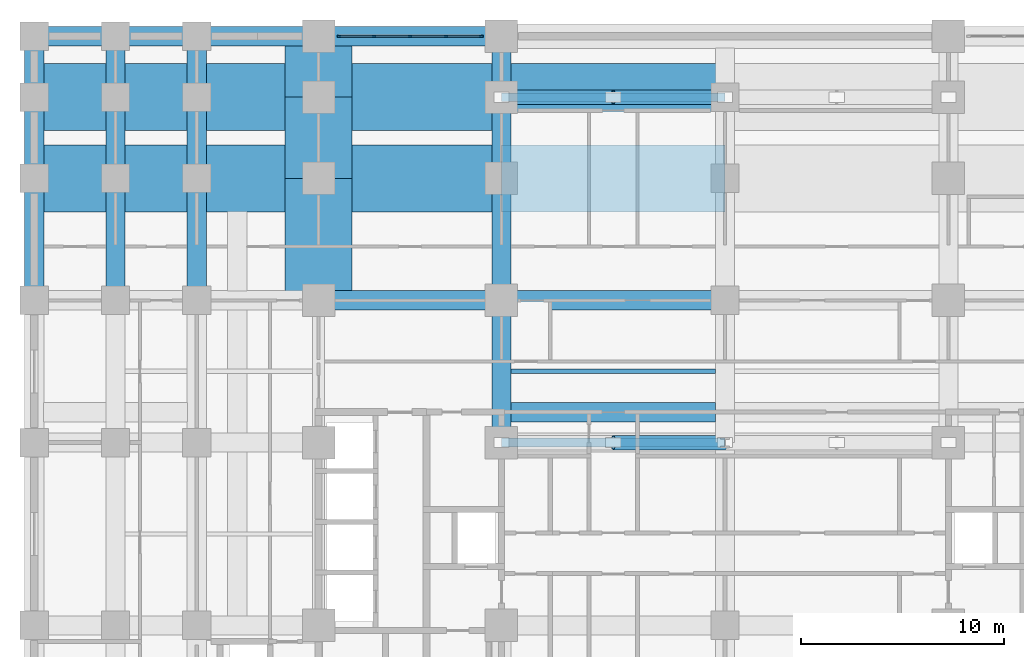
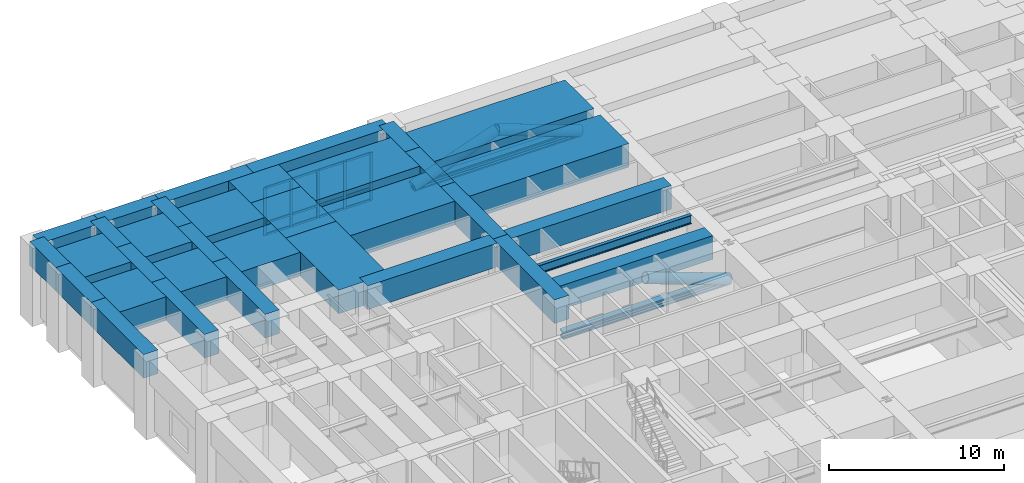
# One storey, part 3 of 22: 34 beams, 22 members, 1 element without a shape of its own.
"""IFC4 building model written with IfcOpenShell, lengths in metres."""

from ifc_helpers import new_model, si_unit, direction, frame, origin, origin_2d, place, context, subcontext, project, spatial, rectangle, hollow_circle, i_section, extrude, material, material_profile, profile_set, type_object, element, aggregate, save


model = new_model("IFC4")

# Units and contexts
model_context = context("Model", 3, precision=1e-05, world=origin(), true_north=direction((0.0, 1.0)))
body_context = subcontext(model_context, "Body", "Model", "MODEL_VIEW")
ifc_project = project(units=[si_unit("LENGTHUNIT", "METRE"), si_unit("AREAUNIT", "SQUARE_METRE"), si_unit("VOLUMEUNIT", "CUBIC_METRE"), si_unit("PLANEANGLEUNIT", "RADIAN"), si_unit("MASSUNIT", "GRAM", prefix="KILO")], contexts=[model_context])

# Site, building, storey
site_placement = place(None, origin())
site = spatial("IfcSite", under=ifc_project, at=site_placement, CompositionType="ELEMENT")
building_placement = place(site_placement, origin())
building = spatial("IfcBuilding", under=site, at=building_placement, Name="Zulmaris Gate Convention Tower", CompositionType="ELEMENT")
storey_placement = place(building_placement, frame((0.0, 0.0, 21.760009765625)))
storey = spatial("IfcBuildingStorey", under=building, at=storey_placement, Name="L04", CompositionType="ELEMENT", Elevation=21.760009765625)

# Beams
ifc_material_1 = material(Name="Concrete C80/95", Category="concrete")
ifc_material_profile_1 = material_profile(ifc_material_1, rectangle(XDim=0.949951171875, YDim=1.64990234375, at=origin_2d()), Name="RC TRANSFER 950x1650")
ifc_profile_set_1 = profile_set([ifc_material_profile_1], Name="Concrete C80/95")
beam_type_1 = type_object("IfcBeamType", Name="BM-XFER1650", PredefinedType="BEAM", material=ifc_profile_set_1)
for number, where, z_axis, x_axis, name in (
    (1, (-34.0, 29.0, 4.1650390625), (1.0, 0.0, 0.0), (0.0, 1.0, 0.0), "L04 Beam XFRNGX-L04-+29.0-1"),
    (2, (-30.0, 29.0, 4.1650390625), (1.0, 0.0, 0.0), (0.0, 1.0, 0.0), "L04 Beam XFRNGX-L04-+29.0-2"),
):
    element("IfcBeam", number, at=place(storey_placement, frame(where, z_axis=z_axis, x_axis=x_axis)), inside=storey, type_object=beam_type_1, Name=name, PredefinedType="BEAM", context=body_context, shape_type="SweptSolid", body=[
        extrude(rectangle(XDim=0.949951171875, YDim=1.64990234375, at=origin_2d()), origin(), (0.0, 0.0, 1.0), 4.0),
    ])
beam_1_placement = place(storey_placement, frame((-26.0, 29.0, 4.1650390625), z_axis=(1.0, 0.0, 0.0), x_axis=(0.0, 1.0, 0.0)))
element("IfcBeam", 3, at=beam_1_placement, inside=storey, type_object=beam_type_1, Name="L04 Beam XFRNGX-L04-+29.0-3", PredefinedType="BEAM", context=body_context, shape_type="SweptSolid", body=[
    extrude(rectangle(XDim=0.949951171875, YDim=1.64990234375, at=origin_2d()), origin(), (0.0, 0.0, 1.0), 6.0),
])
beam_2_placement = place(storey_placement, frame((-20.0, 29.0, 4.1650390625), z_axis=(1.0, 0.0, 0.0), x_axis=(0.0, 1.0, 0.0)))
element("IfcBeam", 4, at=beam_2_placement, inside=storey, type_object=beam_type_1, Name="L04 Beam XFRNGX-L04-+29.0-4", PredefinedType="BEAM", context=body_context, shape_type="SweptSolid", body=[
    extrude(rectangle(XDim=0.949951171875, YDim=1.64990234375, at=origin_2d()), origin(), (0.0, 0.0, 1.0), 9.0),
])
beam_3_placement = place(storey_placement, frame((-34.0, 16.0, 4.1650390625), z_axis=(0.0, 1.0, 0.0), x_axis=(-1.0, 0.0, 0.0)))
element("IfcBeam", 5, at=beam_3_placement, inside=storey, type_object=beam_type_1, Name="L04 Beam XFRNGY-L04--34.0-8", PredefinedType="BEAM", context=body_context, shape_type="SweptSolid", body=[
    extrude(rectangle(XDim=0.949951171875, YDim=1.64990234375, at=origin_2d()), origin(), (0.0, 0.0, 1.0), 6.0),
])
beam_4_placement = place(storey_placement, frame((-34.0, 22.0, 4.1650390625), z_axis=(0.0, 1.0, 0.0), x_axis=(-1.0, 0.0, 0.0)))
element("IfcBeam", 6, at=beam_4_placement, inside=storey, type_object=beam_type_1, Name="L04 Beam XFRNGY-L04--34.0-9", PredefinedType="BEAM", context=body_context, shape_type="SweptSolid", body=[
    extrude(rectangle(XDim=0.949951171875, YDim=1.64990234375, at=origin_2d()), origin(), (0.0, 0.0, 1.0), 4.0),
])
beam_5_placement = place(storey_placement, frame((-34.0, 26.0, 4.1650390625), z_axis=(0.0, 1.0, 0.0), x_axis=(-1.0, 0.0, 0.0)))
element("IfcBeam", 7, at=beam_5_placement, inside=storey, type_object=beam_type_1, Name="L04 Beam XFRNGY-L04--34.0-10", PredefinedType="BEAM", context=body_context, shape_type="SweptSolid", body=[
    extrude(rectangle(XDim=0.949951171875, YDim=1.64990234375, at=origin_2d()), origin(), (0.0, 0.0, 1.0), 3.0),
])
beam_6_placement = place(storey_placement, frame((-30.0, 16.0, 4.1650390625), z_axis=(0.0, 1.0, 0.0), x_axis=(-1.0, 0.0, 0.0)))
element("IfcBeam", 8, at=beam_6_placement, inside=storey, type_object=beam_type_1, Name="L04 Beam XFSPY-L04--30.0-6", PredefinedType="BEAM", context=body_context, shape_type="SweptSolid", body=[
    extrude(rectangle(XDim=0.949951171875, YDim=1.64990234375, at=origin_2d()), origin(), (0.0, 0.0, 1.0), 6.0),
])
beam_7_placement = place(storey_placement, frame((-30.0, 22.0, 4.1650390625), z_axis=(0.0, 1.0, 0.0), x_axis=(-1.0, 0.0, 0.0)))
element("IfcBeam", 9, at=beam_7_placement, inside=storey, type_object=beam_type_1, Name="L04 Beam XFSPY-L04--30.0-7", PredefinedType="BEAM", context=body_context, shape_type="SweptSolid", body=[
    extrude(rectangle(XDim=0.949951171875, YDim=1.64990234375, at=origin_2d()), origin(), (0.0, 0.0, 1.0), 4.0),
])
beam_8_placement = place(storey_placement, frame((-30.0, 26.0, 4.1650390625), z_axis=(0.0, 1.0, 0.0), x_axis=(-1.0, 0.0, 0.0)))
element("IfcBeam", 10, at=beam_8_placement, inside=storey, type_object=beam_type_1, Name="L04 Beam XFSPY-L04--30.0-8", PredefinedType="BEAM", context=body_context, shape_type="SweptSolid", body=[
    extrude(rectangle(XDim=0.949951171875, YDim=1.64990234375, at=origin_2d()), origin(), (0.0, 0.0, 1.0), 3.0),
])
beam_9_placement = place(storey_placement, frame((-26.0, 16.0, 4.1650390625), z_axis=(0.0, 1.0, 0.0), x_axis=(-1.0, 0.0, 0.0)))
element("IfcBeam", 11, at=beam_9_placement, inside=storey, type_object=beam_type_1, Name="L04 Beam XFSPY-L04--26.0-8", PredefinedType="BEAM", context=body_context, shape_type="SweptSolid", body=[
    extrude(rectangle(XDim=0.949951171875, YDim=1.64990234375, at=origin_2d()), origin(), (0.0, 0.0, 1.0), 6.0),
])
beam_10_placement = place(storey_placement, frame((-26.0, 22.0, 4.1650390625), z_axis=(0.0, 1.0, 0.0), x_axis=(-1.0, 0.0, 0.0)))
element("IfcBeam", 12, at=beam_10_placement, inside=storey, type_object=beam_type_1, Name="L04 Beam XFSPY-L04--26.0-9", PredefinedType="BEAM", context=body_context, shape_type="SweptSolid", body=[
    extrude(rectangle(XDim=0.949951171875, YDim=1.64990234375, at=origin_2d()), origin(), (0.0, 0.0, 1.0), 4.0),
])
beam_11_placement = place(storey_placement, frame((-26.0, 26.0, 4.1650390625), z_axis=(0.0, 1.0, 0.0), x_axis=(-1.0, 0.0, 0.0)))
element("IfcBeam", 13, at=beam_11_placement, inside=storey, type_object=beam_type_1, Name="L04 Beam XFSPY-L04--26.0-10", PredefinedType="BEAM", context=body_context, shape_type="SweptSolid", body=[
    extrude(rectangle(XDim=0.949951171875, YDim=1.64990234375, at=origin_2d()), origin(), (0.0, 0.0, 1.0), 3.0),
])
beam_12_placement = place(storey_placement, frame((-11.0, 9.0, 4.1650390625), z_axis=(0.0, 1.0, 0.0), x_axis=(-1.0, 0.0, 0.0)))
element("IfcBeam", 14, at=beam_12_placement, inside=storey, type_object=beam_type_1, Name="L04 Beam XFSPY-L04--11.0-7", PredefinedType="BEAM", context=body_context, shape_type="SweptSolid", body=[
    extrude(rectangle(XDim=0.949951171875, YDim=1.64990234375, at=origin_2d()), origin(), (0.0, 0.0, 1.0), 7.0),
])
beam_13_placement = place(storey_placement, frame((-11.0, 16.0, 4.1650390625), z_axis=(0.0, 1.0, 0.0), x_axis=(-1.0, 0.0, 0.0)))
element("IfcBeam", 15, at=beam_13_placement, inside=storey, type_object=beam_type_1, Name="L04 Beam XFSPY-L04--11.0-8", PredefinedType="BEAM", context=body_context, shape_type="SweptSolid", body=[
    extrude(rectangle(XDim=0.949951171875, YDim=1.64990234375, at=origin_2d()), origin(), (0.0, 0.0, 1.0), 6.0),
])
beam_14_placement = place(storey_placement, frame((-11.0, 22.0, 4.1650390625), z_axis=(0.0, 1.0, 0.0), x_axis=(-1.0, 0.0, 0.0)))
element("IfcBeam", 16, at=beam_14_placement, inside=storey, type_object=beam_type_1, Name="L04 Beam XFSPY-L04--11.0-9", PredefinedType="BEAM", context=body_context, shape_type="SweptSolid", body=[
    extrude(rectangle(XDim=0.949951171875, YDim=1.64990234375, at=origin_2d()), origin(), (0.0, 0.0, 1.0), 4.0),
])
beam_15_placement = place(storey_placement, frame((-11.0, 26.0, 4.1650390625), z_axis=(0.0, 1.0, 0.0), x_axis=(-1.0, 0.0, 0.0)))
element("IfcBeam", 17, at=beam_15_placement, inside=storey, type_object=beam_type_1, Name="L04 Beam XFSPY-L04--11.0-10", PredefinedType="BEAM", context=body_context, shape_type="SweptSolid", body=[
    extrude(rectangle(XDim=0.949951171875, YDim=1.64990234375, at=origin_2d()), origin(), (0.0, 0.0, 1.0), 3.0),
])
beam_16_placement = place(storey_placement, frame((-20.0, 16.0, 4.1650390625), z_axis=(1.0, 0.0, 0.0), x_axis=(0.0, 1.0, 0.0)))
element("IfcBeam", 18, at=beam_16_placement, inside=storey, type_object=beam_type_1, Name="L04 Beam XFSPX-L04-+16.0-4", PredefinedType="BEAM", context=body_context, shape_type="SweptSolid", body=[
    extrude(rectangle(XDim=0.949951171875, YDim=1.64990234375, at=origin_2d()), origin(), (0.0, 0.0, 1.0), 9.0),
])
beam_17_placement = place(storey_placement, frame((-11.0, 16.0, 4.1650390625), z_axis=(1.0, 0.0, 0.0), x_axis=(0.0, 1.0, 0.0)))
element("IfcBeam", 19, at=beam_17_placement, inside=storey, type_object=beam_type_1, Name="L04 Beam XFSPX-L04-+16.0-5", PredefinedType="BEAM", context=body_context, shape_type="SweptSolid", body=[
    extrude(rectangle(XDim=0.949951171875, YDim=1.64990234375, at=origin_2d()), origin(), (0.0, 0.0, 1.0), 11.0),
])
beam_18_placement = place(storey_placement, frame((-10.537109375, 10.5, 4.1650390625), z_axis=(1.0, 0.0, 0.0), x_axis=(0.0, 1.0, 0.0)))
element("IfcBeam", 20, at=beam_18_placement, inside=storey, type_object=beam_type_1, Name="L04 Beam XFERX-L04-+10.50-4", PredefinedType="BEAM", context=body_context, shape_type="SweptSolid", body=[
    extrude(rectangle(XDim=0.949951171875, YDim=1.64990234375, at=origin_2d()), origin(), (0.0, 0.0, 1.0), 10.07421875),
])
ifc_material_profile_2 = material_profile(ifc_material_1, rectangle(XDim=3.300048828125, YDim=1.64990234375, at=origin_2d()), Name="RC TRANSFER 3300x1650")
ifc_profile_set_2 = profile_set([ifc_material_profile_2], Name="Concrete C80/95")
beam_type_2 = type_object("IfcBeamType", Name="BM-XFERCAP", PredefinedType="BEAM", material=ifc_profile_set_2)
beam_19_placement = place(storey_placement, frame((-20.0, 16.0, 4.1650390625), z_axis=(0.0, 1.0, 0.0), x_axis=(-1.0, 0.0, 0.0)))
element("IfcBeam", 21, at=beam_19_placement, inside=storey, type_object=beam_type_2, Name="L04 Beam XFSPY-L04--20.0-8", PredefinedType="BEAM", context=body_context, shape_type="SweptSolid", body=[
    extrude(rectangle(XDim=3.300048828125, YDim=1.64990234375, at=origin_2d()), origin(), (0.0, 0.0, 1.0), 6.0),
])
beam_20_placement = place(storey_placement, frame((-20.0, 22.0, 4.1650390625), z_axis=(0.0, 1.0, 0.0), x_axis=(-1.0, 0.0, 0.0)))
element("IfcBeam", 22, at=beam_20_placement, inside=storey, type_object=beam_type_2, Name="L04 Beam XFSPY-L04--20.0-9", PredefinedType="BEAM", context=body_context, shape_type="SweptSolid", body=[
    extrude(rectangle(XDim=3.300048828125, YDim=1.64990234375, at=origin_2d()), origin(), (0.0, 0.0, 1.0), 4.0),
])
beam_21_placement = place(storey_placement, frame((-20.0, 26.0, 4.1650390625), z_axis=(0.0, 1.0, 0.0), x_axis=(-1.0, 0.0, 0.0)))
element("IfcBeam", 23, at=beam_21_placement, inside=storey, type_object=beam_type_2, Name="L04 Beam XFSPY-L04--20.0-10", PredefinedType="BEAM", context=body_context, shape_type="SweptSolid", body=[
    extrude(rectangle(XDim=3.300048828125, YDim=1.64990234375, at=origin_2d()), origin(), (0.0, 0.0, 1.0), 3.0),
])
for number, where, z_axis, x_axis, name in (
    (24, (-34.0, 22.0, 4.1650390625), (1.0, 0.0, 0.0), (0.0, 1.0, 0.0), "L04 Beam XFSPX-L04-+22.0-1"),
    (25, (-30.0, 22.0, 4.1650390625), (1.0, 0.0, 0.0), (0.0, 1.0, 0.0), "L04 Beam XFSPX-L04-+22.0-2"),
):
    element("IfcBeam", number, at=place(storey_placement, frame(where, z_axis=z_axis, x_axis=x_axis)), inside=storey, type_object=beam_type_2, Name=name, PredefinedType="BEAM", context=body_context, shape_type="SweptSolid", body=[
        extrude(rectangle(XDim=3.300048828125, YDim=1.64990234375, at=origin_2d()), origin(), (0.0, 0.0, 1.0), 4.0),
    ])
beam_22_placement = place(storey_placement, frame((-26.0, 22.0, 4.1650390625), z_axis=(1.0, 0.0, 0.0), x_axis=(0.0, 1.0, 0.0)))
element("IfcBeam", 26, at=beam_22_placement, inside=storey, type_object=beam_type_2, Name="L04 Beam XFSPX-L04-+22.0-3", PredefinedType="BEAM", context=body_context, shape_type="SweptSolid", body=[
    extrude(rectangle(XDim=3.300048828125, YDim=1.64990234375, at=origin_2d()), origin(), (0.0, 0.0, 1.0), 6.0),
])
beam_23_placement = place(storey_placement, frame((-20.0, 22.0, 4.1650390625), z_axis=(1.0, 0.0, 0.0), x_axis=(0.0, 1.0, 0.0)))
element("IfcBeam", 27, at=beam_23_placement, inside=storey, type_object=beam_type_2, Name="L04 Beam XFSPX-L04-+22.0-4", PredefinedType="BEAM", context=body_context, shape_type="SweptSolid", body=[
    extrude(rectangle(XDim=3.300048828125, YDim=1.64990234375, at=origin_2d()), origin(), (0.0, 0.0, 1.0), 9.0),
])
beam_24_placement = place(storey_placement, frame((-11.0, 22.0, 4.1650390625), z_axis=(1.0, 0.0, 0.0), x_axis=(0.0, 1.0, 0.0)))
element("IfcBeam", 28, at=beam_24_placement, inside=storey, type_object=beam_type_2, Name="L04 Beam XFSPX-L04-+22.0-5", PredefinedType="BEAM", context=body_context, shape_type="SweptSolid", body=[
    extrude(rectangle(XDim=3.300048828125, YDim=1.64990234375, at=origin_2d()), origin(), (0.0, 0.0, 1.0), 11.0),
])
for number, where, z_axis, x_axis, name in (
    (29, (-34.0, 26.0, 4.1650390625), (1.0, 0.0, 0.0), (0.0, 1.0, 0.0), "L04 Beam XFSPX-L04-+26.0-1"),
    (30, (-30.0, 26.0, 4.1650390625), (1.0, 0.0, 0.0), (0.0, 1.0, 0.0), "L04 Beam XFSPX-L04-+26.0-2"),
):
    element("IfcBeam", number, at=place(storey_placement, frame(where, z_axis=z_axis, x_axis=x_axis)), inside=storey, type_object=beam_type_2, Name=name, PredefinedType="BEAM", context=body_context, shape_type="SweptSolid", body=[
        extrude(rectangle(XDim=3.300048828125, YDim=1.64990234375, at=origin_2d()), origin(), (0.0, 0.0, 1.0), 4.0),
    ])
beam_25_placement = place(storey_placement, frame((-26.0, 26.0, 4.1650390625), z_axis=(1.0, 0.0, 0.0), x_axis=(0.0, 1.0, 0.0)))
element("IfcBeam", 31, at=beam_25_placement, inside=storey, type_object=beam_type_2, Name="L04 Beam XFSPX-L04-+26.0-3", PredefinedType="BEAM", context=body_context, shape_type="SweptSolid", body=[
    extrude(rectangle(XDim=3.300048828125, YDim=1.64990234375, at=origin_2d()), origin(), (0.0, 0.0, 1.0), 6.0),
])
beam_26_placement = place(storey_placement, frame((-20.0, 26.0, 4.1650390625), z_axis=(1.0, 0.0, 0.0), x_axis=(0.0, 1.0, 0.0)))
element("IfcBeam", 32, at=beam_26_placement, inside=storey, type_object=beam_type_2, Name="L04 Beam XFSPX-L04-+26.0-4", PredefinedType="BEAM", context=body_context, shape_type="SweptSolid", body=[
    extrude(rectangle(XDim=3.300048828125, YDim=1.64990234375, at=origin_2d()), origin(), (0.0, 0.0, 1.0), 9.0),
])
beam_27_placement = place(storey_placement, frame((-11.0, 26.0, 4.1650390625), z_axis=(1.0, 0.0, 0.0), x_axis=(0.0, 1.0, 0.0)))
element("IfcBeam", 33, at=beam_27_placement, inside=storey, type_object=beam_type_2, Name="L04 Beam XFSPX-L04-+26.0-5", PredefinedType="BEAM", context=body_context, shape_type="SweptSolid", body=[
    extrude(rectangle(XDim=3.300048828125, YDim=1.64990234375, at=origin_2d()), origin(), (0.0, 0.0, 1.0), 11.0),
])

# Members
ifc_material_2 = material(Name="Steel S460", Category="steel")
ifc_material_profile_3 = material_profile(ifc_material_2, hollow_circle(Radius=0.35546875, WallThickness=0.035888671875, at=origin_2d()), Name="CHS 711x36")
ifc_profile_set_3 = profile_set([ifc_material_profile_3], Name="Steel S460")
member_type_1 = type_object("IfcMemberType", Name="BR-CHS711", PredefinedType="BRACE", material=ifc_profile_set_3)
for number, where, z_axis, x_axis, name in (
    (34, (-5.5, 9.0, 4.43994140625), (0.940341848935, 0.0, -0.340231108428), (0.0, 1.0, 0.0), "L04 Pishtaq Transfer Truss Diagonal +9-D2"),
    (35, (-11.0, 26.0, 2.449951171875), (0.940341848935, 0.0, 0.340231108428), (0.0, 1.0, 0.0), "L04 Pishtaq Transfer Truss Diagonal +26-D1"),
    (36, (-5.5, 26.0, 4.43994140625), (0.940341848935, 0.0, -0.340231108428), (0.0, 1.0, 0.0), "L04 Pishtaq Transfer Truss Diagonal +26-D2"),
):
    element("IfcMember", number, at=place(storey_placement, frame(where, z_axis=z_axis, x_axis=x_axis)), inside=storey, type_object=member_type_1, Name=name, PredefinedType="BRACE", context=body_context, shape_type="SweptSolid", body=[
        extrude(hollow_circle(Radius=0.35546875, WallThickness=0.035888671875, at=origin_2d()), origin(), (0.0, 0.0, 1.0), 5.848876953125),
    ])
ifc_material_profile_4 = material_profile(ifc_material_2, i_section(OverallWidth=0.43701171875, OverallDepth=0.513916015625, WebThickness=0.060546875, FlangeThickness=0.096923828125, FilletRadius=0.014892578125, at=origin_2d()), Name="HD 400x818")
ifc_profile_set_4 = profile_set([ifc_material_profile_4], Name="Steel S460")
member_type_2 = type_object("IfcMemberType", Name="CH-HD818", PredefinedType="CHORD", material=ifc_profile_set_4)
for number, where, z_axis, x_axis, name in (
    (37, (-11.0, 9.0, 2.449951171875), (1.0, 0.0, 0.0), (0.0, 1.0, 0.0), "L04 Pishtaq Transfer Truss Bottom Chord +9-1"),
    (38, (-11.0, 26.0, 2.449951171875), (1.0, 0.0, 0.0), (0.0, 1.0, 0.0), "L04 Pishtaq Transfer Truss Bottom Chord +26-1"),
):
    element("IfcMember", number, at=place(storey_placement, frame(where, z_axis=z_axis, x_axis=x_axis)), inside=storey, type_object=member_type_2, Name=name, PredefinedType="CHORD", context=body_context, shape_type="SweptSolid", body=[
        extrude(i_section(OverallWidth=0.43701171875, OverallDepth=0.513916015625, WebThickness=0.060546875, FlangeThickness=0.096923828125, FilletRadius=0.014892578125, at=origin_2d()), origin(), (0.0, 0.0, 1.0), 11.0),
    ])

# Curtain wall, members
ifc_material_3 = material(Name="Anodised Aluminium", Category="aluminium")
curtain_wall_type = type_object("IfcCurtainWallType", Name="CW-03", PredefinedType="NOTDEFINED", material=ifc_material_3)
curtain_wall_placement = place(storey_placement, origin())
curtain_wall = element("IfcCurtainWall", 39, at=curtain_wall_placement, inside=storey, type_object=curtain_wall_type, Name="CW-03 CW03-L04-N-20_0", PredefinedType="NOTDEFINED")
ifc_material_profile_5 = material_profile(ifc_material_3, rectangle(XDim=0.074951171875, YDim=0.179931640625, at=origin_2d()), Name="ALU MULLION 75x180")
ifc_profile_set_5 = profile_set([ifc_material_profile_5], Name="Anodised Aluminium")
member_type_3 = type_object("IfcMemberType", Name="CW-03-MULL", PredefinedType="MULLION", material=ifc_profile_set_5)
member_1_placement = place(storey_placement, frame((-11.99755859375, 29.0, 0.0), z_axis=(0.0, 0.0, 1.0), x_axis=(0.0, -1.0, 0.0)))
member_1 = element("IfcMember", 40, at=member_1_placement, type_object=member_type_3, Name="CW-03 mullion 1", PredefinedType="MULLION", context=body_context, shape_type="SweptSolid", body=[
    extrude(rectangle(XDim=0.074951171875, YDim=0.179931640625, at=origin_2d()), origin(), (0.0, 0.0, 1.0), 3.33203125),
])
member_2_placement = place(storey_placement, frame((-13.72998046875, 29.0, 0.0), z_axis=(0.0, 0.0, 1.0), x_axis=(0.0, -1.0, 0.0)))
member_2 = element("IfcMember", 41, at=member_2_placement, type_object=member_type_3, Name="CW-03 mullion 2", PredefinedType="MULLION", context=body_context, shape_type="SweptSolid", body=[
    extrude(rectangle(XDim=0.074951171875, YDim=0.179931640625, at=origin_2d()), origin(), (0.0, 0.0, 1.0), 3.33203125),
])
member_3_placement = place(storey_placement, frame((-15.5, 29.0, 0.0), z_axis=(0.0, 0.0, 1.0), x_axis=(0.0, -1.0, 0.0)))
member_3 = element("IfcMember", 42, at=member_3_placement, type_object=member_type_3, Name="CW-03 mullion 3", PredefinedType="MULLION", context=body_context, shape_type="SweptSolid", body=[
    extrude(rectangle(XDim=0.074951171875, YDim=0.179931640625, at=origin_2d()), origin(), (0.0, 0.0, 1.0), 3.33203125),
])
member_4_placement = place(storey_placement, frame((-17.27001953125, 29.0, 0.0), z_axis=(0.0, 0.0, 1.0), x_axis=(0.0, -1.0, 0.0)))
member_4 = element("IfcMember", 43, at=member_4_placement, type_object=member_type_3, Name="CW-03 mullion 4", PredefinedType="MULLION", context=body_context, shape_type="SweptSolid", body=[
    extrude(rectangle(XDim=0.074951171875, YDim=0.179931640625, at=origin_2d()), origin(), (0.0, 0.0, 1.0), 3.33203125),
])
member_5_placement = place(storey_placement, frame((-19.00244140625, 29.0, 0.0), z_axis=(0.0, 0.0, 1.0), x_axis=(0.0, -1.0, 0.0)))
member_5 = element("IfcMember", 44, at=member_5_placement, type_object=member_type_3, Name="CW-03 mullion 5", PredefinedType="MULLION", context=body_context, shape_type="SweptSolid", body=[
    extrude(rectangle(XDim=0.074951171875, YDim=0.179931640625, at=origin_2d()), origin(), (0.0, 0.0, 1.0), 3.33203125),
])
ifc_material_profile_6 = material_profile(ifc_material_3, rectangle(XDim=0.074951171875, YDim=0.14990234375, at=origin_2d()), Name="ALU TRANSOM 75x150")
ifc_profile_set_6 = profile_set([ifc_material_profile_6], Name="Anodised Aluminium")
member_type_4 = type_object("IfcMemberType", Name="CW-03-TRAN", PredefinedType="USERDEFINED", material=ifc_profile_set_6)
member_6_placement = place(storey_placement, frame((-12.034912109375, 29.0, 0.03759765625), z_axis=(-1.0, 0.0, 0.0), x_axis=(0.0, -1.0, 0.0)))
member_6 = element("IfcMember", 45, at=member_6_placement, type_object=member_type_4, Name="CW-03 transom 1.1", ObjectType="TRANSOM", PredefinedType="USERDEFINED", context=body_context, shape_type="SweptSolid", body=[
    extrude(rectangle(XDim=0.074951171875, YDim=0.14990234375, at=origin_2d()), origin(), (0.0, 0.0, 1.0), 1.657470703125),
])
member_7_placement = place(storey_placement, frame((-12.034912109375, 29.0, 0.85009765625), z_axis=(-1.0, 0.0, 0.0), x_axis=(0.0, -1.0, 0.0)))
member_7 = element("IfcMember", 46, at=member_7_placement, type_object=member_type_4, Name="CW-03 transom 1.2", ObjectType="TRANSOM", PredefinedType="USERDEFINED", context=body_context, shape_type="SweptSolid", body=[
    extrude(rectangle(XDim=0.074951171875, YDim=0.14990234375, at=origin_2d()), origin(), (0.0, 0.0, 1.0), 1.657470703125),
])
member_8_placement = place(storey_placement, frame((-12.034912109375, 29.0, 3.29443359375), z_axis=(-1.0, 0.0, 0.0), x_axis=(0.0, -1.0, 0.0)))
member_8 = element("IfcMember", 47, at=member_8_placement, type_object=member_type_4, Name="CW-03 transom 1.3", ObjectType="TRANSOM", PredefinedType="USERDEFINED", context=body_context, shape_type="SweptSolid", body=[
    extrude(rectangle(XDim=0.074951171875, YDim=0.14990234375, at=origin_2d()), origin(), (0.0, 0.0, 1.0), 1.657470703125),
])
member_9_placement = place(storey_placement, frame((-13.767578125, 29.0, 0.03759765625), z_axis=(-1.0, 0.0, 0.0), x_axis=(0.0, -1.0, 0.0)))
member_9 = element("IfcMember", 48, at=member_9_placement, type_object=member_type_4, Name="CW-03 transom 2.1", ObjectType="TRANSOM", PredefinedType="USERDEFINED", context=body_context, shape_type="SweptSolid", body=[
    extrude(rectangle(XDim=0.074951171875, YDim=0.14990234375, at=origin_2d()), origin(), (0.0, 0.0, 1.0), 1.69482421875),
])
member_10_placement = place(storey_placement, frame((-13.767578125, 29.0, 0.85009765625), z_axis=(-1.0, 0.0, 0.0), x_axis=(0.0, -1.0, 0.0)))
member_10 = element("IfcMember", 49, at=member_10_placement, type_object=member_type_4, Name="CW-03 transom 2.2", ObjectType="TRANSOM", PredefinedType="USERDEFINED", context=body_context, shape_type="SweptSolid", body=[
    extrude(rectangle(XDim=0.074951171875, YDim=0.14990234375, at=origin_2d()), origin(), (0.0, 0.0, 1.0), 1.69482421875),
])
member_11_placement = place(storey_placement, frame((-13.767578125, 29.0, 3.29443359375), z_axis=(-1.0, 0.0, 0.0), x_axis=(0.0, -1.0, 0.0)))
member_11 = element("IfcMember", 50, at=member_11_placement, type_object=member_type_4, Name="CW-03 transom 2.3", ObjectType="TRANSOM", PredefinedType="USERDEFINED", context=body_context, shape_type="SweptSolid", body=[
    extrude(rectangle(XDim=0.074951171875, YDim=0.14990234375, at=origin_2d()), origin(), (0.0, 0.0, 1.0), 1.69482421875),
])
member_12_placement = place(storey_placement, frame((-15.53759765625, 29.0, 0.03759765625), z_axis=(-1.0, 0.0, 0.0), x_axis=(0.0, -1.0, 0.0)))
member_12 = element("IfcMember", 51, at=member_12_placement, type_object=member_type_4, Name="CW-03 transom 3.1", ObjectType="TRANSOM", PredefinedType="USERDEFINED", context=body_context, shape_type="SweptSolid", body=[
    extrude(rectangle(XDim=0.074951171875, YDim=0.14990234375, at=origin_2d()), origin(), (0.0, 0.0, 1.0), 1.69482421875),
])
member_13_placement = place(storey_placement, frame((-15.53759765625, 29.0, 0.85009765625), z_axis=(-1.0, 0.0, 0.0), x_axis=(0.0, -1.0, 0.0)))
member_13 = element("IfcMember", 52, at=member_13_placement, type_object=member_type_4, Name="CW-03 transom 3.2", ObjectType="TRANSOM", PredefinedType="USERDEFINED", context=body_context, shape_type="SweptSolid", body=[
    extrude(rectangle(XDim=0.074951171875, YDim=0.14990234375, at=origin_2d()), origin(), (0.0, 0.0, 1.0), 1.69482421875),
])
member_14_placement = place(storey_placement, frame((-15.53759765625, 29.0, 3.29443359375), z_axis=(-1.0, 0.0, 0.0), x_axis=(0.0, -1.0, 0.0)))
member_14 = element("IfcMember", 53, at=member_14_placement, type_object=member_type_4, Name="CW-03 transom 3.3", ObjectType="TRANSOM", PredefinedType="USERDEFINED", context=body_context, shape_type="SweptSolid", body=[
    extrude(rectangle(XDim=0.074951171875, YDim=0.14990234375, at=origin_2d()), origin(), (0.0, 0.0, 1.0), 1.69482421875),
])
member_15_placement = place(storey_placement, frame((-17.3076171875, 29.0, 0.03759765625), z_axis=(-1.0, 0.0, 0.0), x_axis=(0.0, -1.0, 0.0)))
member_15 = element("IfcMember", 54, at=member_15_placement, type_object=member_type_4, Name="CW-03 transom 4.1", ObjectType="TRANSOM", PredefinedType="USERDEFINED", context=body_context, shape_type="SweptSolid", body=[
    extrude(rectangle(XDim=0.074951171875, YDim=0.14990234375, at=origin_2d()), origin(), (0.0, 0.0, 1.0), 1.657470703125),
])
member_16_placement = place(storey_placement, frame((-17.3076171875, 29.0, 0.85009765625), z_axis=(-1.0, 0.0, 0.0), x_axis=(0.0, -1.0, 0.0)))
member_16 = element("IfcMember", 55, at=member_16_placement, type_object=member_type_4, Name="CW-03 transom 4.2", ObjectType="TRANSOM", PredefinedType="USERDEFINED", context=body_context, shape_type="SweptSolid", body=[
    extrude(rectangle(XDim=0.074951171875, YDim=0.14990234375, at=origin_2d()), origin(), (0.0, 0.0, 1.0), 1.657470703125),
])
member_17_placement = place(storey_placement, frame((-17.3076171875, 29.0, 3.29443359375), z_axis=(-1.0, 0.0, 0.0), x_axis=(0.0, -1.0, 0.0)))
member_17 = element("IfcMember", 56, at=member_17_placement, type_object=member_type_4, Name="CW-03 transom 4.3", ObjectType="TRANSOM", PredefinedType="USERDEFINED", context=body_context, shape_type="SweptSolid", body=[
    extrude(rectangle(XDim=0.074951171875, YDim=0.14990234375, at=origin_2d()), origin(), (0.0, 0.0, 1.0), 1.657470703125),
])
aggregate(curtain_wall, [member_1, member_2, member_3, member_4, member_5, member_6, member_7, member_8, member_9, member_10, member_11, member_12, member_13, member_14, member_15, member_16, member_17])

# Beam
ifc_material_4 = material(Name="Steel S355", Category="steel")
ifc_material_profile_7 = material_profile(ifc_material_4, i_section(OverallWidth=0.219970703125, OverallDepth=0.60009765625, WebThickness=0.011962890625, FlangeThickness=0.01904296875, FilletRadius=0.02392578125, at=origin_2d()), Name="IPE 600")
ifc_profile_set_7 = profile_set([ifc_material_profile_7], Name="Steel S355")
beam_type_3 = type_object("IfcBeamType", Name="JT-IPE600", PredefinedType="JOIST", material=ifc_profile_set_7)
beam_28_placement = place(storey_placement, frame((-10.52490234375, 12.5, 4.68798828125), z_axis=(1.0, 0.0, 0.0), x_axis=(0.0, 1.0, 0.0)))
element("IfcBeam", 57, at=beam_28_placement, inside=storey, type_object=beam_type_3, Name="L04 Joist JT-L04--11_+0-+12.5", PredefinedType="JOIST", context=body_context, shape_type="SweptSolid", body=[
    extrude(i_section(OverallWidth=0.219970703125, OverallDepth=0.60009765625, WebThickness=0.011962890625, FlangeThickness=0.01904296875, FilletRadius=0.02392578125, at=origin_2d()), origin(), (0.0, 0.0, 1.0), 10.0498046875),
])

save(model, "model.ifc")
